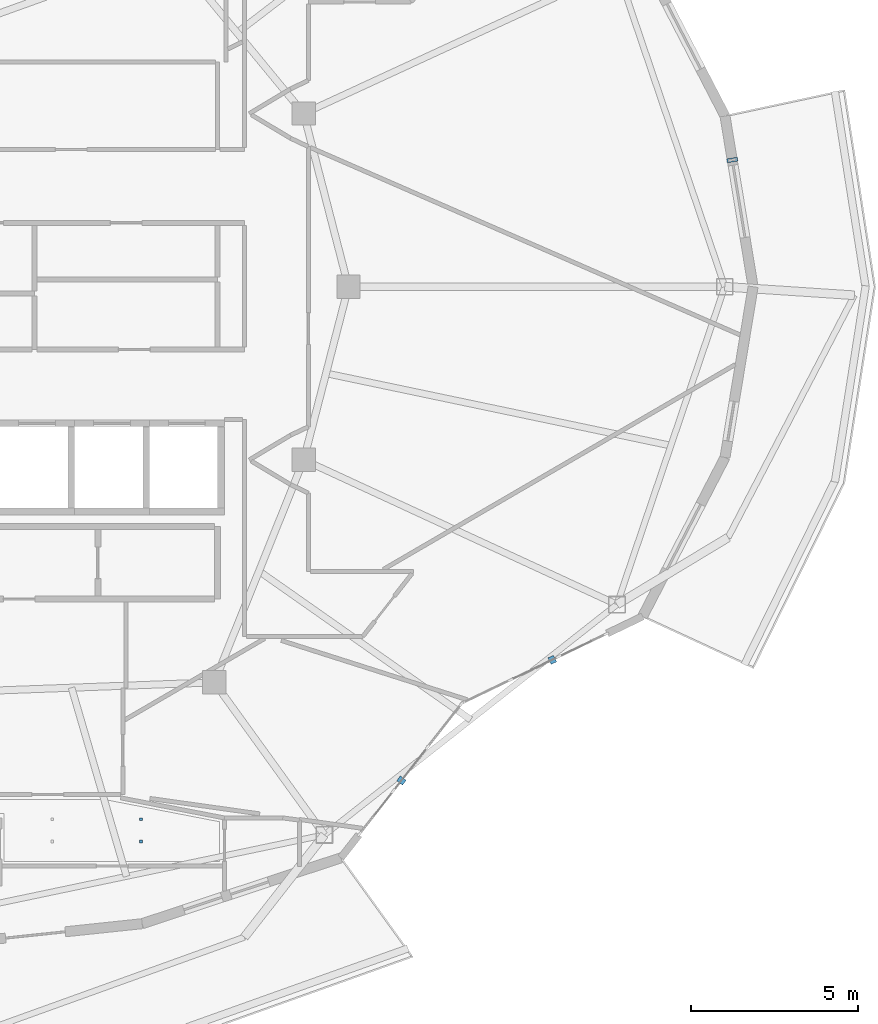
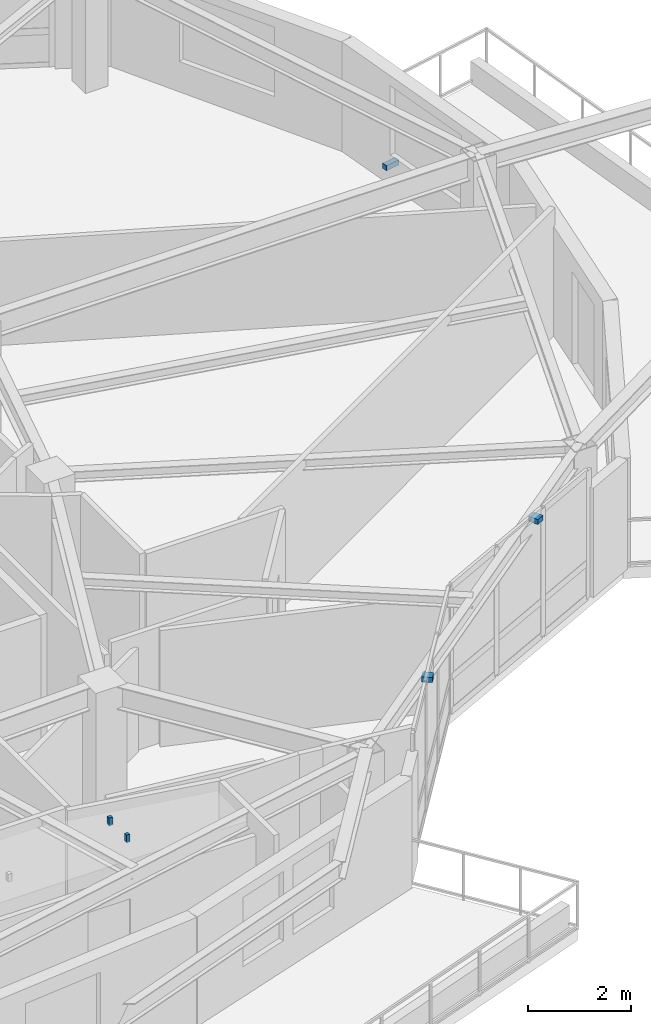
# One storey, part 16 of 21: 5 discrete accessories.
"""IFC4 building model written with IfcOpenShell, lengths in metres."""

import ifcopenshell
import ifcopenshell.guid

model = None  # the IFC model being written
_history = None  # IfcOwnerHistory: only IFC2X3 demands one
_inside = {}  # id of a spatial element -> (the spatial element, [elements in it])
_under = {}  # id of a project, library or spatial element -> (it, [spatial elements below it])
_declared = {}  # id of a project -> (the project, [libraries it declares])
_typed = {}  # id of a type object -> (the type object, [elements of that type])
_made_of = {}  # id of a material, layer set ... -> (it, [elements and type objects made of it])


def new_model(schema):
    """Start an empty IFC model of exactly this schema.

    Asked for "IFC4X3", IfcOpenShell would pick the latest addendum, in which some entities
    have other attributes; the version numbers below select the first issue.
    IFC2X3 requires an IfcOwnerHistory on every rooted entity: one is made here for all.
    """
    global model, _history
    if schema == "IFC4X3":
        model = ifcopenshell.file(schema_version=(4, 3, 0, 0))
    else:
        model = ifcopenshell.file(schema=schema)
    _inside.clear()
    _under.clear()
    _declared.clear()
    _typed.clear()
    _made_of.clear()
    _history = None
    if model.schema == "IFC2X3":
        org = make("IfcOrganization", Name="unknown")
        user = make(
            "IfcPersonAndOrganization",
            ThePerson=make("IfcPerson", FamilyName="unknown"),
            TheOrganization=org,
        )
        app = make(
            "IfcApplication",
            ApplicationDeveloper=org,
            Version="unknown",
            ApplicationFullName="unknown",
            ApplicationIdentifier="unknown",
        )
        _history = make(
            "IfcOwnerHistory",
            OwningUser=user,
            OwningApplication=app,
            ChangeAction="ADDED",
            CreationDate=0,
        )
    return model


def make(cls, **values):
    """One entity of the class cls with the attributes given. An attribute that is None is left unset."""
    return model.create_entity(
        cls, **{name: value for name, value in values.items() if value is not None}
    )


def rooted(cls, **values):
    """An entity with a GlobalId (a new one), such as an element, a storey or a relation."""
    return make(cls, GlobalId=ifcopenshell.guid.new(), OwnerHistory=_history, **values)


def si_unit(unit_type, name, prefix=None):
    """IfcSIUnit, for example si_unit("LENGTHUNIT", "METRE", prefix="MILLI")."""
    return make("IfcSIUnit", UnitType=unit_type, Prefix=prefix, Name=name)


def assignment(units):
    """IfcUnitAssignment: the units of a project."""
    return None if units is None else make("IfcUnitAssignment", Units=units)


def point(xyz):
    """IfcCartesianPoint."""
    return None if xyz is None else make("IfcCartesianPoint", Coordinates=xyz)


def direction(xyz):
    """IfcDirection."""
    return None if xyz is None else make("IfcDirection", DirectionRatios=xyz)


def frame(location, z_axis=None, x_axis=None):
    """IfcAxis2Placement3D, a coordinate frame: its origin and axes. An axis left out is left unset."""
    return make(
        "IfcAxis2Placement3D",
        Location=point(location),
        Axis=direction(z_axis),
        RefDirection=direction(x_axis),
    )


def frame_2d(location, x_axis=None):
    """IfcAxis2Placement2D, a coordinate frame in the plane: its origin and x axis."""
    return make(
        "IfcAxis2Placement2D", Location=point(location), RefDirection=direction(x_axis)
    )


def origin():
    """The frame at (0, 0, 0) with its axes left unset."""
    return frame((0.0, 0.0, 0.0))


def origin_2d():
    """The frame at (0, 0) in the plane with its x axis left unset."""
    return frame_2d((0.0, 0.0))


def place(relative_to, where):
    """IfcLocalPlacement: puts the frame where relative to a parent placement (None: the world)."""
    return make(
        "IfcLocalPlacement", PlacementRelTo=relative_to, RelativePlacement=where
    )


def context(
    kind, dimensions, precision=None, world=None, true_north=None, identifier=None
):
    """IfcGeometricRepresentationContext, for example the 3D "Model" context."""
    return make(
        "IfcGeometricRepresentationContext",
        ContextIdentifier=identifier,
        ContextType=kind,
        CoordinateSpaceDimension=dimensions,
        Precision=precision,
        WorldCoordinateSystem=world,
        TrueNorth=true_north,
    )


def subcontext(parent, identifier, kind, view, scale=None):
    """IfcGeometricRepresentationSubContext, for example "Body" below "Model"."""
    return make(
        "IfcGeometricRepresentationSubContext",
        ContextIdentifier=identifier,
        ContextType=kind,
        ParentContext=parent,
        TargetScale=scale,
        TargetView=view,
    )


def project(units=None, contexts=None):
    """IfcProject with its units and contexts."""
    return rooted(
        "IfcProject",
        Name="project",
        RepresentationContexts=contexts,
        UnitsInContext=assignment(units),
    )


def spatial(cls, under=None, at=None, **own):
    """A site, building, storey or space (cls), placed at a placement, below another one or the project."""
    s = rooted(cls, ObjectPlacement=at, **own)
    if under is not None:
        _under.setdefault(under.id(), (under, []))[1].append(s)
    return s


def profile(cls, at=None, kind="AREA", **sizes):
    """A parametric profile (cls). Its sizes go by their IFC names, for example OverallWidth=200.0."""
    return make(cls, ProfileType=kind, Position=at, **sizes)


def rectangle(**sizes):
    """IfcRectangleProfileDef."""
    return profile("IfcRectangleProfileDef", **sizes)


def extrude(swept, where, along, depth):
    """IfcExtrudedAreaSolid: the profile swept, set in the frame where, extruded along a direction by depth."""
    return make(
        "IfcExtrudedAreaSolid",
        SweptArea=swept,
        Position=where,
        ExtrudedDirection=direction(along),
        Depth=depth,
    )


def shape(context_of_items, identifier, shape_type, items):
    """IfcShapeRepresentation: the items that make up one representation, for example the "Body"."""
    return make(
        "IfcShapeRepresentation",
        ContextOfItems=context_of_items,
        RepresentationIdentifier=identifier,
        RepresentationType=shape_type,
        Items=items,
    )


def material(Name=None, Category=None):
    """IfcMaterial."""
    return make("IfcMaterial", Name=Name, Category=Category)


def made_of(thing, what):
    """Note that an element or type object is made of a material, layer set ...; save() writes the relation."""
    if what is not None:
        _made_of.setdefault(what.id(), (what, []))[1].append(thing)
    return thing


def type_object(cls, material=None, **own):
    """A type object (cls), such as IfcWallType, which elements share."""
    return made_of(rooted(cls, **own), material)


def element(
    cls,
    number,
    at=None,
    inside=None,
    cuts=None,
    type_object=None,
    material=None,
    context=None,
    identifier="Body",
    shape_type=None,
    held_by="IfcProductDefinitionShape",
    body=None,
    shapes=None,
    **own,
):
    """One element of the class cls, such as IfcWall. Its Tag is "e" and its number.

    at: its placement. inside: the storey or other place that contains it. cuts: it is an
    opening in that element (IfcRelVoidsElement). A single representation is given by context,
    identifier, shape_type and body (its items); several are given by shapes. held_by: the class
    of the entity that holds the representations. save() writes the other relations.
    """
    e = rooted(cls, Tag="e%d" % number, ObjectPlacement=at, **own)
    if body is not None:
        shapes = [shape(context, identifier, shape_type, body)]
    if shapes is not None:
        e.Representation = make(held_by, Representations=shapes)
    if inside is not None:
        _inside.setdefault(inside.id(), (inside, []))[1].append(e)
    if cuts is not None:
        rooted(
            "IfcRelVoidsElement", RelatingBuildingElement=cuts, RelatedOpeningElement=e
        )
    if type_object is not None:
        _typed.setdefault(type_object.id(), (type_object, []))[1].append(e)
    return made_of(e, material)


def aggregate(whole, parts):
    """IfcRelAggregates: a whole, such as a stair, and the parts it consists of."""
    return rooted("IfcRelAggregates", RelatingObject=whole, RelatedObjects=parts)


def save(model, path):
    """Write the relations noted so far, then the file.

    IfcRelAggregates (storeys below a building ...), IfcRelContainedInSpatialStructure (elements
    in a storey), IfcRelDefinesByType, IfcRelAssociatesMaterial and IfcRelDeclares: one each for
    every whole, place, type object, material and project.
    """
    for whole, parts in _under.values():
        aggregate(whole, parts)
    for where, things in _inside.values():
        rooted(
            "IfcRelContainedInSpatialStructure",
            RelatedElements=things,
            RelatingStructure=where,
        )
    for kind, things in _typed.values():
        rooted("IfcRelDefinesByType", RelatedObjects=things, RelatingType=kind)
    for what, things in _made_of.values():
        rooted("IfcRelAssociatesMaterial", RelatedObjects=things, RelatingMaterial=what)
    for by, libraries in _declared.values():
        rooted("IfcRelDeclares", RelatingContext=by, RelatedDefinitions=libraries)
    model.write(path)


model = new_model("IFC4")

# Units and contexts
model_context = context("Model", 3, precision=1e-05, world=origin(), true_north=direction((0.0, 1.0)))
body_context = subcontext(model_context, "Body", "Model", "MODEL_VIEW")
ifc_project = project(units=[si_unit("LENGTHUNIT", "METRE"), si_unit("AREAUNIT", "SQUARE_METRE"), si_unit("VOLUMEUNIT", "CUBIC_METRE"), si_unit("PLANEANGLEUNIT", "RADIAN"), si_unit("MASSUNIT", "GRAM", prefix="KILO")], contexts=[model_context])

# Site, building, storey
site_placement = place(None, origin())
site = spatial("IfcSite", under=ifc_project, at=site_placement, CompositionType="ELEMENT")
building_placement = place(site_placement, origin())
building = spatial("IfcBuilding", under=site, at=building_placement, Name="Kolvaren Gate Tower and Convention Centre", CompositionType="ELEMENT")
storey_placement = place(building_placement, frame((0.0, 0.0, 226.10009765625)))
storey = spatial("IfcBuildingStorey", under=building, at=storey_placement, Name="L60", CompositionType="ELEMENT", Elevation=226.10009765625)

# Discrete accessories
ifc_material_1 = material(Name="Anodized Architectural Aluminium Alloy 6063-T6", Category="aluminium")
discrete_accessory_type_1 = type_object("IfcDiscreteAccessoryType", Name="ARCH-ACC-BRACKET-120", PredefinedType="BRACKET", material=ifc_material_1)
discrete_accessory_placement = place(storey_placement, frame((54.248779296875, 30.805419921875, 0.289794921875), z_axis=(0.0, 0.0, 1.0), x_axis=(0.162375401515, -0.986729055508, 0.0)))
element("IfcDiscreteAccessory", 1, at=discrete_accessory_placement, inside=storey, type_object=discrete_accessory_type_1, Name="Ceramic Fin Wall Anchor Bracket FBK-L60-00", PredefinedType="BRACKET", context=body_context, shape_type="SweptSolid", body=[
    extrude(rectangle(XDim=0.1201171875, YDim=0.320068359375, at=origin_2d()), origin(), (0.0, 0.0, 1.0), 0.1201171875),
])
for number, where, z_axis, x_axis, name in (
    (2, (44.316162109375, 12.172607421875, 2.849853515625), (0.0, 0.0, 1.0), (0.616434119112, 0.787406487651, 0.0), "Solar Screen Spandrel Anchor Bracket BK-L60-20"),
    (3, (48.845703125, 15.79638671875, 2.849853515625), (0.0, 0.0, 1.0), (0.90135914581, 0.433072384555, 0.0), "Solar Screen Spandrel Anchor Bracket BK-L60-21"),
):
    element("IfcDiscreteAccessory", number, at=place(storey_placement, frame(where, z_axis=z_axis, x_axis=x_axis)), inside=storey, type_object=discrete_accessory_type_1, Name=name, PredefinedType="BRACKET", context=body_context, shape_type="SweptSolid", body=[
        extrude(rectangle(XDim=0.179931640625, YDim=0.219970703125, at=origin_2d()), origin(), (0.0, 0.0, 1.0), 0.1201171875),
    ])
ifc_material_2 = material(Name="Brushed Stainless Steel Grade 316L", Category="steel")
discrete_accessory_type_2 = type_object("IfcDiscreteAccessoryType", Name="ARCH-ACC-HANGER-80", PredefinedType="BRACKET", material=ifc_material_2)
for number, where, z_axis, x_axis, name in (
    (4, (36.49609375, 10.342041015625, 2.85009765625), (0.0, 0.0, 1.0), (1.0, 0.0, 0.0), "Duplex Loft Living Room (APT-L60-02) Ceiling Suspension Hanger Clip 2"),
    (5, (36.49609375, 11.012939453125, 2.85009765625), (0.0, 0.0, 1.0), (1.0, 0.0, 0.0), "Duplex Loft Living Room (APT-L60-02) Ceiling Suspension Hanger Clip 4"),
):
    element("IfcDiscreteAccessory", number, at=place(storey_placement, frame(where, z_axis=z_axis, x_axis=x_axis)), inside=storey, type_object=discrete_accessory_type_2, Name=name, PredefinedType="BRACKET", context=body_context, shape_type="SweptSolid", body=[
        extrude(rectangle(XDim=0.080078125, YDim=0.080078125, at=origin_2d()), origin(), (0.0, 0.0, 1.0), 0.179931640625),
    ])

save(model, "model.ifc")
